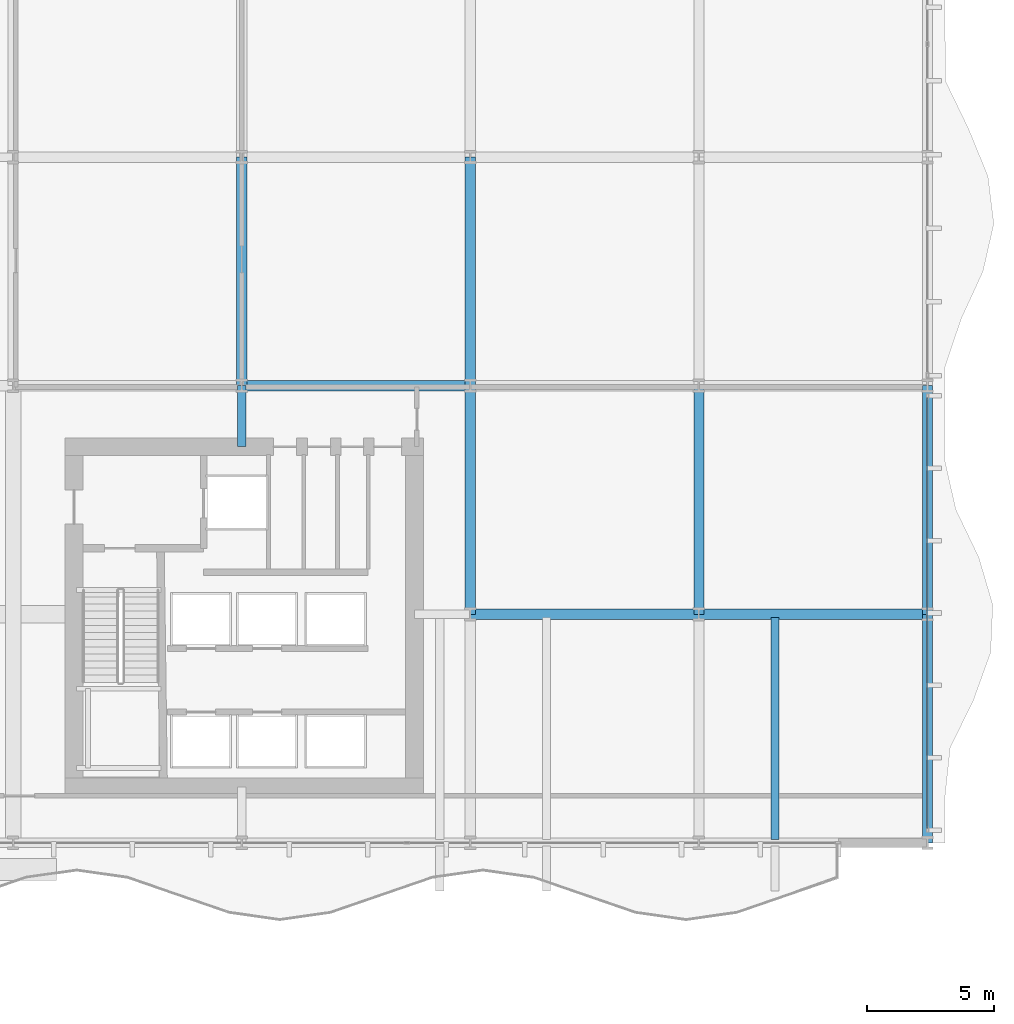
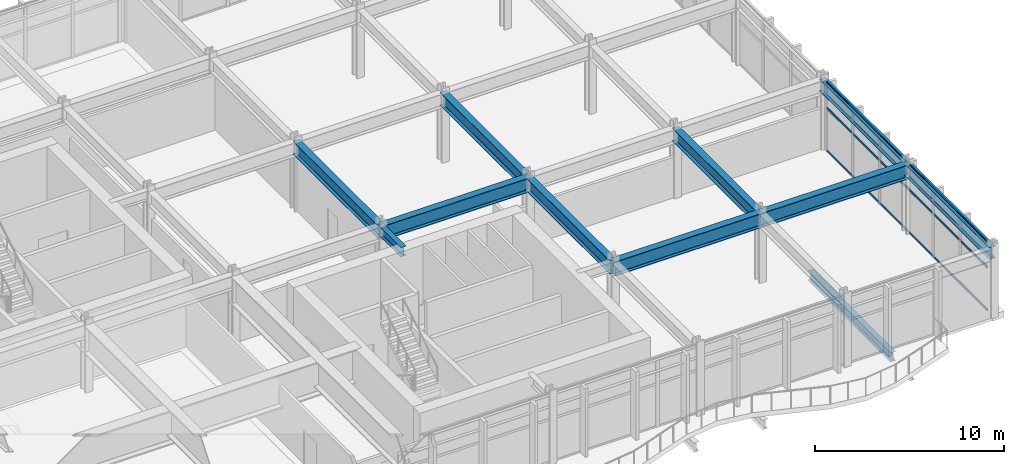
# One storey, part 11 of 31: 11 beams, 3 members, 1 element without a shape of its own.
"""IFC4 building model written with IfcOpenShell, lengths in metres."""

from ifc_helpers import new_model, si_unit, direction, frame, origin, origin_2d, place, context, subcontext, project, spatial, hollow_rectangle, i_section, extrude, material, layer, layer_set, material_profile, profile_set, type_object, element, aggregate, save


model = new_model("IFC4")

# Units and contexts
model_context = context("Model", 3, precision=1e-05, world=origin(), true_north=direction((0.0, 1.0)))
body_context = subcontext(model_context, "Body", "Model", "MODEL_VIEW")
ifc_project = project(units=[si_unit("LENGTHUNIT", "METRE"), si_unit("AREAUNIT", "SQUARE_METRE"), si_unit("VOLUMEUNIT", "CUBIC_METRE"), si_unit("PLANEANGLEUNIT", "RADIAN"), si_unit("MASSUNIT", "GRAM", prefix="KILO")], contexts=[model_context])

# Site, building, storey
site_placement = place(None, origin())
site = spatial("IfcSite", under=ifc_project, at=site_placement, CompositionType="ELEMENT")
building_placement = place(site_placement, origin())
building = spatial("IfcBuilding", under=site, at=building_placement, Name="Solvaryn Broadcast Tower", CompositionType="ELEMENT")
storey_placement = place(building_placement, frame((0.0, 0.0, 26.0)))
storey = spatial("IfcBuildingStorey", under=building, at=storey_placement, Name="L05", CompositionType="ELEMENT", Elevation=26.0)

# Beams
ifc_material_1 = material(Name="Steel ASTM A992 Grade 50", Category="steel")
ifc_material_profile_1 = material_profile(ifc_material_1, i_section(OverallWidth=0.323974609375, OverallDepth=0.611083984375, WebThickness=0.0126953125, FlangeThickness=0.01904296875, FilletRadius=0.014892578125, at=origin_2d()))
ifc_profile_set_1 = profile_set([ifc_material_profile_1], Name="Steel ASTM A992 Grade 50")
beam_type_1 = type_object("IfcBeamType", Name="BM-B1-W24X104", PredefinedType="BEAM", material=ifc_profile_set_1)
beam_1_placement = place(storey_placement, frame((57.0, 17.875, -0.62548828125), z_axis=(0.0, -1.0, 0.0), x_axis=(1.0, 0.0, 0.0)))
element("IfcBeam", 1, at=beam_1_placement, inside=storey, type_object=beam_type_1, Name="L05 Terrace Back-Span Beam X57.0", PredefinedType="BEAM", context=body_context, shape_type="SweptSolid", body=[
    extrude(i_section(OverallWidth=0.323974609375, OverallDepth=0.611083984375, WebThickness=0.0126953125, FlangeThickness=0.01904296875, FilletRadius=0.014892578125, at=origin_2d()), origin(), (0.0, 0.0, 1.0), 8.75),
])
beam_2_placement = place(storey_placement, frame((36.0, 24.60009765625, 4.134521484375), z_axis=(0.0, 1.0, 0.0), x_axis=(-1.0, 0.0, 0.0)))
element("IfcBeam", 2, at=beam_2_placement, inside=storey, type_object=beam_type_1, Name="L05 Core Tie Beam CTE2", PredefinedType="BEAM", context=body_context, shape_type="SweptSolid", body=[
    extrude(i_section(OverallWidth=0.323974609375, OverallDepth=0.611083984375, WebThickness=0.0126953125, FlangeThickness=0.01904296875, FilletRadius=0.014892578125, at=origin_2d()), origin(), (0.0, 0.0, 1.0), 2.39990234375),
])
ifc_material_2 = material(Name="Steel ASTM A992 Grade 50", Category="steel")
ifc_material_profile_2 = material_profile(ifc_material_2, i_section(OverallWidth=0.41796875, OverallDepth=0.927001953125, WebThickness=0.019287109375, FlangeThickness=0.031982421875, FilletRadius=0.02392578125, at=origin_2d()))
ifc_profile_set_2 = profile_set([ifc_material_profile_2], Name="Steel ASTM A992 Grade 50")
beam_type_2 = type_object("IfcBeamType", Name="BM-G2-W36X231", PredefinedType="BEAM", material=ifc_profile_set_2)
for number, where, z_axis, x_axis, name in (
    (3, (45.0, 18.0, 3.9765625), (1.0, 0.0, 0.0), (0.0, 1.0, 0.0), "L05 Primary Beam X (45-54 @ Y=18)"),
    (4, (54.0, 18.0, 3.9765625), (1.0, 0.0, 0.0), (0.0, 1.0, 0.0), "L05 Primary Beam X (54-63 @ Y=18)"),
    (5, (36.0, 27.0, 3.9765625), (1.0, 0.0, 0.0), (0.0, 1.0, 0.0), "L05 Primary Beam X (36-45 @ Y=27)"),
):
    element("IfcBeam", number, at=place(storey_placement, frame(where, z_axis=z_axis, x_axis=x_axis)), inside=storey, type_object=beam_type_2, Name=name, PredefinedType="BEAM", context=body_context, shape_type="SweptSolid", body=[
        extrude(i_section(OverallWidth=0.41796875, OverallDepth=0.927001953125, WebThickness=0.019287109375, FlangeThickness=0.031982421875, FilletRadius=0.02392578125, at=origin_2d()), origin(), (0.0, 0.0, 1.0), 9.0),
    ])
ifc_material_3 = material(Name="Steel ASTM A992 Grade 50", Category="steel")
ifc_material_profile_3 = material_profile(ifc_material_3, i_section(OverallWidth=0.39990234375, OverallDepth=0.85498046875, WebThickness=0.018310546875, FlangeThickness=0.029296875, FilletRadius=0.02001953125, at=origin_2d()))
ifc_profile_set_3 = profile_set([ifc_material_profile_3], Name="Steel ASTM A992 Grade 50")
beam_type_3 = type_object("IfcBeamType", Name="BM-G3-W33X201", PredefinedType="BEAM", material=ifc_profile_set_3)
for number, where, z_axis, x_axis, name in (
    (6, (36.0, 27.0, 4.012451171875), (0.0, 1.0, 0.0), (-1.0, 0.0, 0.0), "L05 Primary Beam Y (27-36 @ X=36)"),
    (7, (45.0, 18.0, 4.012451171875), (0.0, 1.0, 0.0), (-1.0, 0.0, 0.0), "L05 Primary Beam Y (18-27 @ X=45)"),
    (8, (45.0, 27.0, 4.012451171875), (0.0, 1.0, 0.0), (-1.0, 0.0, 0.0), "L05 Primary Beam Y (27-36 @ X=45)"),
    (9, (54.0, 18.0, 4.012451171875), (0.0, 1.0, 0.0), (-1.0, 0.0, 0.0), "L05 Primary Beam Y (18-27 @ X=54)"),
):
    element("IfcBeam", number, at=place(storey_placement, frame(where, z_axis=z_axis, x_axis=x_axis)), inside=storey, type_object=beam_type_3, Name=name, PredefinedType="BEAM", context=body_context, shape_type="SweptSolid", body=[
        extrude(i_section(OverallWidth=0.39990234375, OverallDepth=0.85498046875, WebThickness=0.018310546875, FlangeThickness=0.029296875, FilletRadius=0.02001953125, at=origin_2d()), origin(), (0.0, 0.0, 1.0), 9.0),
    ])
ifc_material_4 = material(Name="Steel ASTM A992 Grade 50", Category="steel")
ifc_material_profile_4 = material_profile(ifc_material_4, i_section(OverallWidth=0.381103515625, OverallDepth=0.77294921875, WebThickness=0.0166015625, FlangeThickness=0.027099609375, FilletRadius=0.01806640625, at=origin_2d()))
ifc_profile_set_4 = profile_set([ifc_material_profile_4], Name="Steel ASTM A992 Grade 50")
beam_type_4 = type_object("IfcBeamType", Name="BM-SP1-W30X173", PredefinedType="USERDEFINED", material=ifc_profile_set_4)
for number, where, z_axis, x_axis, name in (
    (10, (63.0, 9.0, 4.053466796875), (0.0, 1.0, 0.0), (-1.0, 0.0, 0.0), "L05 Spandrel Beam Y (9-18 @ X=63)"),
    (11, (63.0, 18.0, 4.053466796875), (0.0, 1.0, 0.0), (-1.0, 0.0, 0.0), "L05 Spandrel Beam Y (18-27 @ X=63)"),
):
    element("IfcBeam", number, at=place(storey_placement, frame(where, z_axis=z_axis, x_axis=x_axis)), inside=storey, type_object=beam_type_4, Name=name, ObjectType="SPANDREL", PredefinedType="USERDEFINED", context=body_context, shape_type="SweptSolid", body=[
        extrude(i_section(OverallWidth=0.381103515625, OverallDepth=0.77294921875, WebThickness=0.0166015625, FlangeThickness=0.027099609375, FilletRadius=0.01806640625, at=origin_2d()), origin(), (0.0, 0.0, 1.0), 9.0),
    ])

# Curtain wall, members
ifc_material_5 = material(Name="Aluminium and Terracotta Unitised Curtain Wall", Category="masonry")
ifc_layer = layer(ifc_material_5, 0.219970703125)
ifc_layer_set = layer_set([ifc_layer], Name="CW-SYS1-PODIUM")
curtain_wall_type = type_object("IfcCurtainWallType", Name="CW-SYS1-PODIUM", PredefinedType="NOTDEFINED", material=ifc_layer_set)
curtain_wall_placement = place(storey_placement, origin())
curtain_wall = element("IfcCurtainWall", 12, at=curtain_wall_placement, inside=storey, type_object=curtain_wall_type, Name="L05 Podium Curtain Wall E2", PredefinedType="NOTDEFINED")
ifc_material_6 = material(Name="Anodised Aluminium 6063-T6", Category="aluminium")
ifc_material_profile_5 = material_profile(ifc_material_6, hollow_rectangle(XDim=0.06494140625, YDim=0.14990234375, WallThickness=0.00390625, InnerFilletRadius=0.00390625, OuterFilletRadius=0.008056640625, at=origin_2d()))
ifc_profile_set_5 = profile_set([ifc_material_profile_5], Name="Anodised Aluminium 6063-T6")
member_type = type_object("IfcMemberType", Name="CW-TRN-150", PredefinedType="USERDEFINED", material=ifc_profile_set_5)
member_1_placement = place(storey_placement, frame((63.0, 26.5400390625, 0.030029296875), z_axis=(0.0, -1.0, 0.0), x_axis=(1.0, 0.0, 0.0)))
member_1 = element("IfcMember", 13, at=member_1_placement, type_object=member_type, Name="CWS1 transom 1.1", ObjectType="TRANSOM", PredefinedType="USERDEFINED", context=body_context, shape_type="SweptSolid", body=[
    extrude(hollow_rectangle(XDim=0.06494140625, YDim=0.14990234375, WallThickness=0.00390625, InnerFilletRadius=0.00390625, OuterFilletRadius=0.008056640625, at=origin_2d()), origin(), (0.0, 0.0, 1.0), 16.97998046875),
])
member_2_placement = place(storey_placement, frame((63.0, 26.5400390625, 2.800048828125), z_axis=(0.0, -1.0, 0.0), x_axis=(1.0, 0.0, 0.0)))
member_2 = element("IfcMember", 14, at=member_2_placement, type_object=member_type, Name="CWS1 transom 1.2", ObjectType="TRANSOM", PredefinedType="USERDEFINED", context=body_context, shape_type="SweptSolid", body=[
    extrude(hollow_rectangle(XDim=0.06494140625, YDim=0.14990234375, WallThickness=0.00390625, InnerFilletRadius=0.00390625, OuterFilletRadius=0.008056640625, at=origin_2d()), origin(), (0.0, 0.0, 1.0), 16.97998046875),
])
member_3_placement = place(storey_placement, frame((63.0, 26.5400390625, 4.409912109375), z_axis=(0.0, -1.0, 0.0), x_axis=(1.0, 0.0, 0.0)))
member_3 = element("IfcMember", 15, at=member_3_placement, type_object=member_type, Name="CWS1 transom 1.3", ObjectType="TRANSOM", PredefinedType="USERDEFINED", context=body_context, shape_type="SweptSolid", body=[
    extrude(hollow_rectangle(XDim=0.06494140625, YDim=0.14990234375, WallThickness=0.00390625, InnerFilletRadius=0.00390625, OuterFilletRadius=0.008056640625, at=origin_2d()), origin(), (0.0, 0.0, 1.0), 16.97998046875),
])
aggregate(curtain_wall, [member_1, member_2, member_3])

save(model, "model.ifc")
